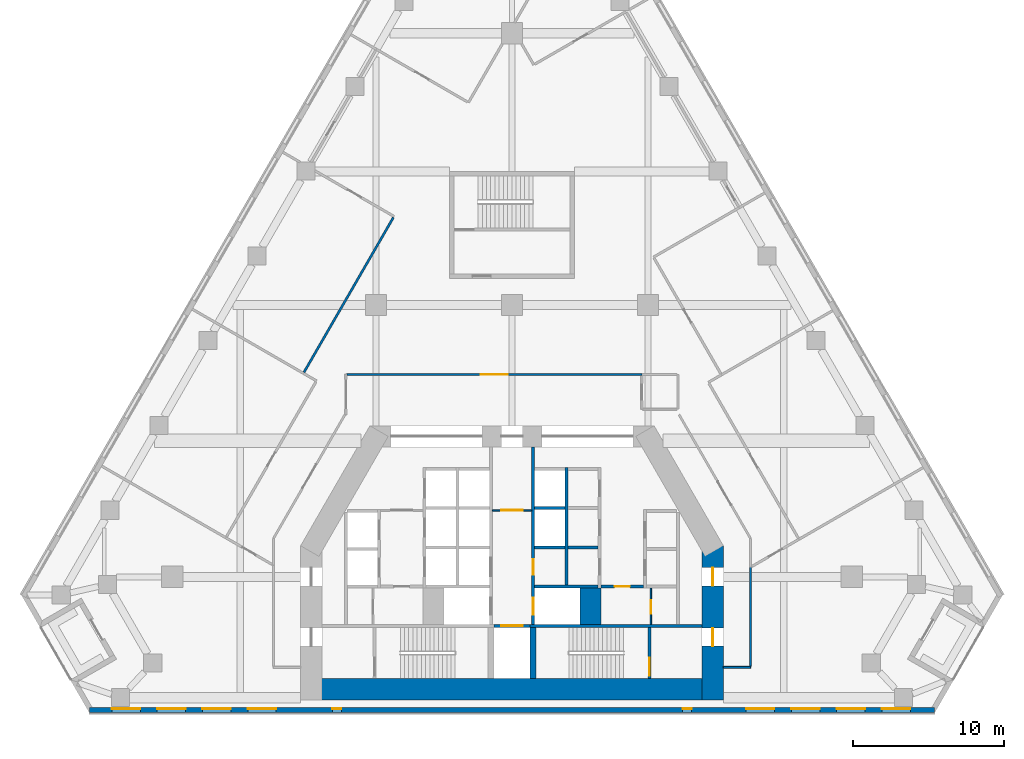
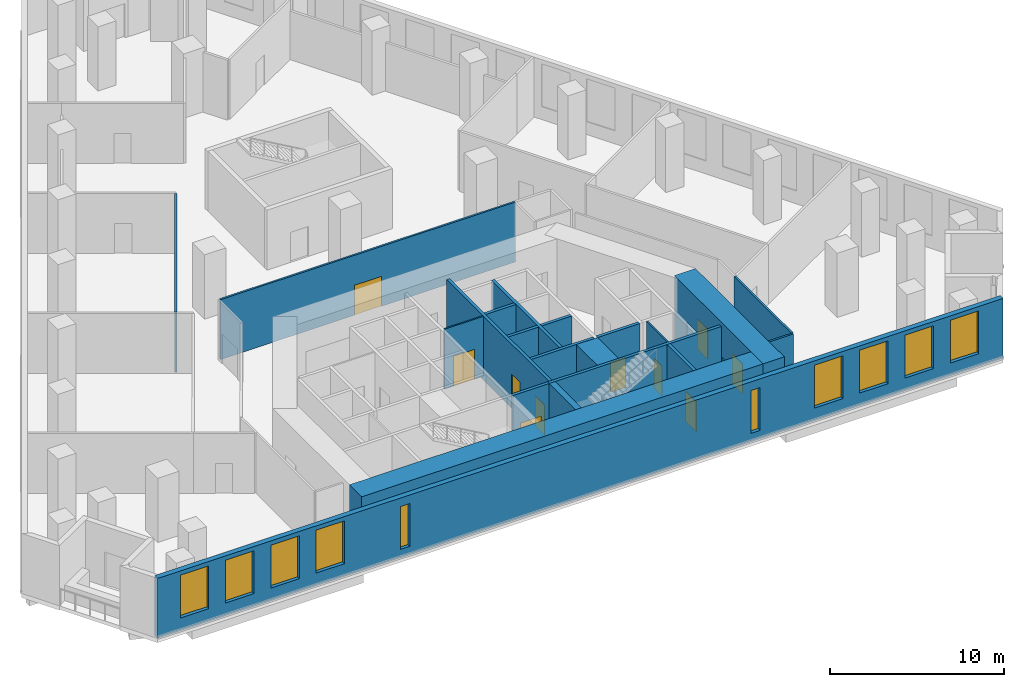
# One storey, part 5 of 14: 21 walls, 10 doors, 10 windows, 20 openings.
"""IFC4 building model written with IfcOpenShell, lengths in metres."""

import ifcopenshell
import ifcopenshell.guid

model = None  # the IFC model being written
_history = None  # IfcOwnerHistory: only IFC2X3 demands one
_inside = {}  # id of a spatial element -> (the spatial element, [elements in it])
_under = {}  # id of a project, library or spatial element -> (it, [spatial elements below it])
_declared = {}  # id of a project -> (the project, [libraries it declares])
_typed = {}  # id of a type object -> (the type object, [elements of that type])
_made_of = {}  # id of a material, layer set ... -> (it, [elements and type objects made of it])


def new_model(schema):
    """Start an empty IFC model of exactly this schema.

    Asked for "IFC4X3", IfcOpenShell would pick the latest addendum, in which some entities
    have other attributes; the version numbers below select the first issue.
    IFC2X3 requires an IfcOwnerHistory on every rooted entity: one is made here for all.
    """
    global model, _history
    if schema == "IFC4X3":
        model = ifcopenshell.file(schema_version=(4, 3, 0, 0))
    else:
        model = ifcopenshell.file(schema=schema)
    _inside.clear()
    _under.clear()
    _declared.clear()
    _typed.clear()
    _made_of.clear()
    _history = None
    if model.schema == "IFC2X3":
        org = make("IfcOrganization", Name="unknown")
        user = make(
            "IfcPersonAndOrganization",
            ThePerson=make("IfcPerson", FamilyName="unknown"),
            TheOrganization=org,
        )
        app = make(
            "IfcApplication",
            ApplicationDeveloper=org,
            Version="unknown",
            ApplicationFullName="unknown",
            ApplicationIdentifier="unknown",
        )
        _history = make(
            "IfcOwnerHistory",
            OwningUser=user,
            OwningApplication=app,
            ChangeAction="ADDED",
            CreationDate=0,
        )
    return model


def make(cls, **values):
    """One entity of the class cls with the attributes given. An attribute that is None is left unset."""
    return model.create_entity(
        cls, **{name: value for name, value in values.items() if value is not None}
    )


def rooted(cls, **values):
    """An entity with a GlobalId (a new one), such as an element, a storey or a relation."""
    return make(cls, GlobalId=ifcopenshell.guid.new(), OwnerHistory=_history, **values)


def si_unit(unit_type, name, prefix=None):
    """IfcSIUnit, for example si_unit("LENGTHUNIT", "METRE", prefix="MILLI")."""
    return make("IfcSIUnit", UnitType=unit_type, Prefix=prefix, Name=name)


def assignment(units):
    """IfcUnitAssignment: the units of a project."""
    return None if units is None else make("IfcUnitAssignment", Units=units)


def point(xyz):
    """IfcCartesianPoint."""
    return None if xyz is None else make("IfcCartesianPoint", Coordinates=xyz)


def direction(xyz):
    """IfcDirection."""
    return None if xyz is None else make("IfcDirection", DirectionRatios=xyz)


def frame(location, z_axis=None, x_axis=None):
    """IfcAxis2Placement3D, a coordinate frame: its origin and axes. An axis left out is left unset."""
    return make(
        "IfcAxis2Placement3D",
        Location=point(location),
        Axis=direction(z_axis),
        RefDirection=direction(x_axis),
    )


def frame_2d(location, x_axis=None):
    """IfcAxis2Placement2D, a coordinate frame in the plane: its origin and x axis."""
    return make(
        "IfcAxis2Placement2D", Location=point(location), RefDirection=direction(x_axis)
    )


def origin():
    """The frame at (0, 0, 0) with its axes left unset."""
    return frame((0.0, 0.0, 0.0))


def place(relative_to, where):
    """IfcLocalPlacement: puts the frame where relative to a parent placement (None: the world)."""
    return make(
        "IfcLocalPlacement", PlacementRelTo=relative_to, RelativePlacement=where
    )


def context(
    kind, dimensions, precision=None, world=None, true_north=None, identifier=None
):
    """IfcGeometricRepresentationContext, for example the 3D "Model" context."""
    return make(
        "IfcGeometricRepresentationContext",
        ContextIdentifier=identifier,
        ContextType=kind,
        CoordinateSpaceDimension=dimensions,
        Precision=precision,
        WorldCoordinateSystem=world,
        TrueNorth=true_north,
    )


def subcontext(parent, identifier, kind, view, scale=None):
    """IfcGeometricRepresentationSubContext, for example "Body" below "Model"."""
    return make(
        "IfcGeometricRepresentationSubContext",
        ContextIdentifier=identifier,
        ContextType=kind,
        ParentContext=parent,
        TargetScale=scale,
        TargetView=view,
    )


def project(units=None, contexts=None):
    """IfcProject with its units and contexts."""
    return rooted(
        "IfcProject",
        Name="project",
        RepresentationContexts=contexts,
        UnitsInContext=assignment(units),
    )


def spatial(cls, under=None, at=None, **own):
    """A site, building, storey or space (cls), placed at a placement, below another one or the project."""
    s = rooted(cls, ObjectPlacement=at, **own)
    if under is not None:
        _under.setdefault(under.id(), (under, []))[1].append(s)
    return s


def profile(cls, at=None, kind="AREA", **sizes):
    """A parametric profile (cls). Its sizes go by their IFC names, for example OverallWidth=200.0."""
    return make(cls, ProfileType=kind, Position=at, **sizes)


def rectangle(**sizes):
    """IfcRectangleProfileDef."""
    return profile("IfcRectangleProfileDef", **sizes)


def extrude(swept, where, along, depth):
    """IfcExtrudedAreaSolid: the profile swept, set in the frame where, extruded along a direction by depth."""
    return make(
        "IfcExtrudedAreaSolid",
        SweptArea=swept,
        Position=where,
        ExtrudedDirection=direction(along),
        Depth=depth,
    )


def shape(context_of_items, identifier, shape_type, items):
    """IfcShapeRepresentation: the items that make up one representation, for example the "Body"."""
    return make(
        "IfcShapeRepresentation",
        ContextOfItems=context_of_items,
        RepresentationIdentifier=identifier,
        RepresentationType=shape_type,
        Items=items,
    )


def material(Name=None, Category=None):
    """IfcMaterial."""
    return make("IfcMaterial", Name=Name, Category=Category)


def layer(
    of_material, thickness, ventilated=None, Name=None, Category=None, Priority=None
):
    """IfcMaterialLayer: one layer of a wall or slab, of a material (None: an air gap)."""
    return make(
        "IfcMaterialLayer",
        Material=of_material,
        LayerThickness=thickness,
        IsVentilated=ventilated,
        Name=Name,
        Category=Category,
        Priority=Priority,
    )


def layer_set(layers, Name=None):
    """IfcMaterialLayerSet."""
    return make("IfcMaterialLayerSet", MaterialLayers=layers, LayerSetName=Name)


def made_of(thing, what):
    """Note that an element or type object is made of a material, layer set ...; save() writes the relation."""
    if what is not None:
        _made_of.setdefault(what.id(), (what, []))[1].append(thing)
    return thing


def type_object(cls, material=None, **own):
    """A type object (cls), such as IfcWallType, which elements share."""
    return made_of(rooted(cls, **own), material)


def element(
    cls,
    number,
    at=None,
    inside=None,
    cuts=None,
    type_object=None,
    material=None,
    context=None,
    identifier="Body",
    shape_type=None,
    held_by="IfcProductDefinitionShape",
    body=None,
    shapes=None,
    **own,
):
    """One element of the class cls, such as IfcWall. Its Tag is "e" and its number.

    at: its placement. inside: the storey or other place that contains it. cuts: it is an
    opening in that element (IfcRelVoidsElement). A single representation is given by context,
    identifier, shape_type and body (its items); several are given by shapes. held_by: the class
    of the entity that holds the representations. save() writes the other relations.
    """
    e = rooted(cls, Tag="e%d" % number, ObjectPlacement=at, **own)
    if body is not None:
        shapes = [shape(context, identifier, shape_type, body)]
    if shapes is not None:
        e.Representation = make(held_by, Representations=shapes)
    if inside is not None:
        _inside.setdefault(inside.id(), (inside, []))[1].append(e)
    if cuts is not None:
        rooted(
            "IfcRelVoidsElement", RelatingBuildingElement=cuts, RelatedOpeningElement=e
        )
    if type_object is not None:
        _typed.setdefault(type_object.id(), (type_object, []))[1].append(e)
    return made_of(e, material)


def fill(opening, filler):
    """IfcRelFillsElement: the door or window that sits in an opening."""
    return rooted(
        "IfcRelFillsElement",
        RelatingOpeningElement=opening,
        RelatedBuildingElement=filler,
    )


def aggregate(whole, parts):
    """IfcRelAggregates: a whole, such as a stair, and the parts it consists of."""
    return rooted("IfcRelAggregates", RelatingObject=whole, RelatedObjects=parts)


def save(model, path):
    """Write the relations noted so far, then the file.

    IfcRelAggregates (storeys below a building ...), IfcRelContainedInSpatialStructure (elements
    in a storey), IfcRelDefinesByType, IfcRelAssociatesMaterial and IfcRelDeclares: one each for
    every whole, place, type object, material and project.
    """
    for whole, parts in _under.values():
        aggregate(whole, parts)
    for where, things in _inside.values():
        rooted(
            "IfcRelContainedInSpatialStructure",
            RelatedElements=things,
            RelatingStructure=where,
        )
    for kind, things in _typed.values():
        rooted("IfcRelDefinesByType", RelatedObjects=things, RelatingType=kind)
    for what, things in _made_of.values():
        rooted("IfcRelAssociatesMaterial", RelatedObjects=things, RelatingMaterial=what)
    for by, libraries in _declared.values():
        rooted("IfcRelDeclares", RelatingContext=by, RelatedDefinitions=libraries)
    model.write(path)


model = new_model("IFC4")

# Units and contexts
model_context = context("Model", 3, precision=1e-05, world=origin(), true_north=direction((0.0, 1.0)))
body_context = subcontext(model_context, "Body", "Model", "MODEL_VIEW")
ifc_project = project(units=[si_unit("LENGTHUNIT", "METRE"), si_unit("AREAUNIT", "SQUARE_METRE"), si_unit("VOLUMEUNIT", "CUBIC_METRE"), si_unit("PLANEANGLEUNIT", "RADIAN"), si_unit("MASSUNIT", "GRAM", prefix="KILO")], contexts=[model_context])

# Site, building, storey
site_placement = place(None, origin())
site = spatial("IfcSite", under=ifc_project, at=site_placement, CompositionType="ELEMENT")
building_placement = place(site_placement, origin())
building = spatial("IfcBuilding", under=site, at=building_placement, Name="Fogline Exchange Tower", CompositionType="ELEMENT")
storey_placement = place(building_placement, frame((0.0, 0.0, 29.5)))
storey = spatial("IfcBuildingStorey", under=building, at=storey_placement, Name="L05", CompositionType="ELEMENT", Elevation=29.5)

# Wall, opening, door
ifc_material_1 = material(Name="Blockwork partition", Category="masonry")
ifc_layer_1 = layer(ifc_material_1, 0.10009765625)
ifc_layer_set_1 = layer_set([ifc_layer_1], Name="CW10")
wall_type_1 = type_object("IfcWallType", Name="CW10", PredefinedType="PARTITIONING", material=ifc_layer_set_1)
wall_1_placement = place(storey_placement, frame((9.199951171875, 5.85009765625, 0.0), z_axis=(0.0, 0.0, 1.0), x_axis=(0.0, 1.0, 0.0)))
wall_1 = element("IfcWall", 1, at=wall_1_placement, inside=storey, type_object=wall_type_1, Name="WC partition", PredefinedType="PARTITIONING", context=body_context, shape_type="SweptSolid", body=[
    extrude(rectangle(XDim=2.39990234375, YDim=0.10009765625, at=frame_2d((1.199951171875, 0.0))), origin(), (0.0, 0.0, 1.0), 4.199951171875),
])
opening_1_placement = place(wall_1_placement, frame((0.699951171875, 0.0, 0.0)))
opening_1 = element("IfcOpeningElement", 2, at=opening_1_placement, cuts=wall_1, Name="Opening T01-C014", PredefinedType="OPENING", context=body_context, shape_type="SweptSolid", body=[
    extrude(rectangle(XDim=0.89990234375, YDim=2.10009765625, at=frame_2d((0.449951171875, 1.050048828125))), frame((0.0, 0.06005859375, 0.0), z_axis=(0.0, -1.0, 0.0), x_axis=(1.0, 0.0, 0.0)), (0.0, 0.0, 1.0), 0.1201171875),
])
ifc_material_2 = material(Name="Steel and timber fire door", Category="steel")
door_type_1 = type_object("IfcDoorType", Name="D-CS1", OperationType="SINGLE_SWING_RIGHT", PredefinedType="DOOR", material=ifc_material_2)
door_1_placement = place(opening_1_placement, frame((0.89990234375, 0.0, 0.0), z_axis=(0.0, 0.0, 1.0), x_axis=(-1.0, 0.0, 0.0)))
door_1 = element("IfcDoor", 3, at=door_1_placement, inside=storey, type_object=door_type_1, Name="Door to Cleaner's Store", OperationType="SINGLE_SWING_RIGHT", OverallHeight=2.10009765625, OverallWidth=0.89990234375, PredefinedType="DOOR", context=body_context, shape_type="SweptSolid", body=[
    extrude(rectangle(XDim=0.89990234375, YDim=2.10009765625, at=frame_2d((0.449951171875, 1.050048828125))), frame((0.0, 0.02490234375, 0.0), z_axis=(0.0, -1.0, 0.0), x_axis=(1.0, 0.0, 0.0)), (0.0, 0.0, 1.0), 0.050048828125),
])
fill(opening_1, door_1)

wall_2_placement = place(storey_placement, frame((-1.300048828125, 13.39990234375, 0.0), z_axis=(0.0, 0.0, 1.0), x_axis=(1.0, 0.0, 0.0)))
wall_2 = element("IfcWall", 4, at=wall_2_placement, inside=storey, type_object=wall_type_1, Name="Lift lobby partition", PredefinedType="PARTITIONING", context=body_context, shape_type="SweptSolid", body=[
    extrude(rectangle(XDim=2.60009765625, YDim=0.10009765625, at=frame_2d((1.300048828125, 0.0))), origin(), (0.0, 0.0, 1.0), 4.199951171875),
])
opening_2_placement = place(wall_2_placement, frame((0.60009765625, 0.0, 0.0)))
opening_2 = element("IfcOpeningElement", 5, at=opening_2_placement, cuts=wall_2, Name="Opening T01-C018", PredefinedType="OPENING", context=body_context, shape_type="SweptSolid", body=[
    extrude(rectangle(XDim=1.39990234375, YDim=2.10009765625, at=frame_2d((0.699951171875, 1.050048828125))), frame((0.0, 0.06005859375, 0.0), z_axis=(0.0, -1.0, 0.0), x_axis=(1.0, 0.0, 0.0)), (0.0, 0.0, 1.0), 0.1201171875),
])
door_type_2 = type_object("IfcDoorType", Name="D-LB1", OperationType="DOUBLE_DOOR_SINGLE_SWING", PredefinedType="DOOR", material=ifc_material_2)
door_2_placement = place(opening_2_placement, origin())
door_2 = element("IfcDoor", 6, at=door_2_placement, inside=storey, type_object=door_type_2, Name="Door to firefighting lift lobby", OperationType="DOUBLE_DOOR_SINGLE_SWING", OverallHeight=2.10009765625, OverallWidth=1.39990234375, PredefinedType="DOOR", context=body_context, shape_type="SweptSolid", body=[
    extrude(rectangle(XDim=1.39990234375, YDim=2.10009765625, at=frame_2d((0.699951171875, 1.050048828125))), frame((0.0, 0.02490234375, 0.0), z_axis=(0.0, -1.0, 0.0), x_axis=(1.0, 0.0, 0.0)), (0.0, 0.0, 1.0), 0.050048828125),
])
fill(opening_2, door_2)

# Wall
ifc_material_3 = material(Name="Concrete C60", Category="concrete")
ifc_layer_2 = layer(ifc_material_3, 1.39990234375)
ifc_layer_set_2 = layer_set([ifc_layer_2], Name="CW140")
wall_type_2 = type_object("IfcWallType", Name="CW140", PredefinedType="SOLIDWALL", material=ifc_layer_set_2)
wall_3_placement = place(storey_placement, frame((5.199951171875, 5.85009765625, -0.300048828125), z_axis=(0.0, 0.0, 1.0), x_axis=(0.0, 1.0, 0.0)))
element("IfcWall", 7, at=wall_3_placement, inside=storey, type_object=wall_type_2, Name="Lift shaft block wall", PredefinedType="SOLIDWALL", context=body_context, shape_type="SweptSolid", body=[
    extrude(rectangle(XDim=2.39990234375, YDim=1.39990234375, at=frame_2d((1.199951171875, 0.0))), origin(), (0.0, 0.0, 1.0), 4.5),
])

# Wall, opening, door
ifc_material_4 = material(Name="Concrete C40", Category="concrete")
ifc_layer_3 = layer(ifc_material_4, 0.199951171875)
ifc_layer_set_3 = layer_set([ifc_layer_3], Name="CW20")
wall_type_3 = type_object("IfcWallType", Name="CW20", PredefinedType="SOLIDWALL", material=ifc_layer_set_3)
wall_4_placement = place(storey_placement, frame((5.89990234375, 8.35009765625, 0.0), z_axis=(0.0, 0.0, 1.0), x_axis=(1.0, 0.0, 0.0)))
wall_4 = element("IfcWall", 8, at=wall_4_placement, inside=storey, type_object=wall_type_3, Name="WC wall", PredefinedType="SOLIDWALL", context=body_context, shape_type="SweptSolid", body=[
    extrude(rectangle(XDim=2.800048828125, YDim=0.199951171875, at=frame_2d((1.39990234375, 0.0))), origin(), (0.0, 0.0, 1.0), 4.199951171875),
])
opening_3_placement = place(wall_4_placement, frame((0.89990234375, 0.0, 0.0)))
opening_3 = element("IfcOpeningElement", 9, at=opening_3_placement, cuts=wall_4, Name="Opening T01-C013", PredefinedType="OPENING", context=body_context, shape_type="SweptSolid", body=[
    extrude(rectangle(XDim=1.0, YDim=2.10009765625, at=frame_2d((0.5, 1.050048828125))), frame((0.0, 0.10986328125, 0.0), z_axis=(0.0, -1.0, 0.0), x_axis=(1.0, 0.0, 0.0)), (0.0, 0.0, 1.0), 0.219970703125),
])
door_type_3 = type_object("IfcDoorType", Name="D-WC1", OperationType="SINGLE_SWING_LEFT", PredefinedType="DOOR", material=ifc_material_2)
door_3_placement = place(opening_3_placement, frame((1.0, 0.0, 0.0), z_axis=(0.0, 0.0, 1.0), x_axis=(-1.0, 0.0, 0.0)))
door_3 = element("IfcDoor", 10, at=door_3_placement, inside=storey, type_object=door_type_3, Name="Door to Women's WC", OperationType="SINGLE_SWING_LEFT", OverallHeight=2.10009765625, OverallWidth=1.0, PredefinedType="DOOR", context=body_context, shape_type="SweptSolid", body=[
    extrude(rectangle(XDim=1.0, YDim=2.10009765625, at=frame_2d((0.5, 1.050048828125))), frame((0.0, 0.02490234375, 0.0), z_axis=(0.0, -1.0, 0.0), x_axis=(1.0, 0.0, 0.0)), (0.0, 0.0, 1.0), 0.050048828125),
])
fill(opening_3, door_3)

ifc_layer_4 = layer(ifc_material_4, 0.199951171875)
ifc_layer_set_4 = layer_set([ifc_layer_4], Name="CW20R")
wall_type_4 = type_object("IfcWallType", Name="CW20R", PredefinedType="SOLIDWALL", material=ifc_layer_set_4)
wall_5_placement = place(storey_placement, frame((-1.199951171875, 5.75, -0.300048828125), z_axis=(0.0, 0.0, 1.0), x_axis=(1.0, 0.0, 0.0)))
wall_5 = element("IfcWall", 11, at=wall_5_placement, inside=storey, type_object=wall_type_4, Name="Stair enclosure wall", PredefinedType="SOLIDWALL", context=body_context, shape_type="SweptSolid", body=[
    extrude(rectangle(XDim=2.39990234375, YDim=0.199951171875, at=frame_2d((1.199951171875, 0.0))), origin(), (0.0, 0.0, 1.0), 4.5),
])
opening_4_placement = place(wall_5_placement, frame((0.5, 0.0, 0.300048828125)))
opening_4 = element("IfcOpeningElement", 12, at=opening_4_placement, cuts=wall_5, Name="Opening T01-LD09", PredefinedType="OPENING", context=body_context, shape_type="SweptSolid", body=[
    extrude(rectangle(XDim=1.39990234375, YDim=2.10009765625, at=frame_2d((0.699951171875, 1.050048828125))), frame((0.0, 0.10986328125, 0.0), z_axis=(0.0, -1.0, 0.0), x_axis=(1.0, 0.0, 0.0)), (0.0, 0.0, 1.0), 0.219970703125),
])
door_type_4 = type_object("IfcDoorType", Name="LD3", OperationType="SLIDING_TO_LEFT", PredefinedType="DOOR", material=ifc_material_2)
door_4_placement = place(opening_4_placement, origin())
door_4 = element("IfcDoor", 13, at=door_4_placement, inside=storey, type_object=door_type_4, Name="Landing door GL1", OperationType="SLIDING_TO_LEFT", OverallHeight=2.10009765625, OverallWidth=1.39990234375, PredefinedType="DOOR", context=body_context, shape_type="SweptSolid", body=[
    extrude(rectangle(XDim=1.39990234375, YDim=2.10009765625, at=frame_2d((0.699951171875, 1.050048828125))), frame((0.0, 0.02490234375, 0.0), z_axis=(0.0, -1.0, 0.0), x_axis=(1.0, 0.0, 0.0)), (0.0, 0.0, 1.0), 0.050048828125),
])
fill(opening_4, door_4)

# Wall
wall_6_placement = place(storey_placement, frame((1.199951171875, 5.75, -0.300048828125), z_axis=(0.0, 0.0, 1.0), x_axis=(1.0, 0.0, 0.0)))
element("IfcWall", 14, at=wall_6_placement, inside=storey, type_object=wall_type_4, Name="Stair enclosure wall", PredefinedType="SOLIDWALL", context=body_context, shape_type="SweptSolid", body=[
    extrude(rectangle(XDim=11.400146484375, YDim=0.199951171875, at=frame_2d((5.7001953125, 0.0))), origin(), (0.0, 0.0, 1.0), 4.5),
])

# Wall, opening, door
wall_7_placement = place(storey_placement, frame((9.10009765625, 2.25, -0.300048828125), z_axis=(0.0, 0.0, 1.0), x_axis=(0.0, 1.0, 0.0)))
wall_7 = element("IfcWall", 15, at=wall_7_placement, inside=storey, type_object=wall_type_4, Name="Stair enclosure wall", PredefinedType="SOLIDWALL", context=body_context, shape_type="SweptSolid", body=[
    extrude(rectangle(XDim=3.39990234375, YDim=0.199951171875, at=frame_2d((1.699951171875, 0.0))), origin(), (0.0, 0.0, 1.0), 4.5),
])
opening_5_placement = place(wall_7_placement, frame((0.199951171875, 0.0, 0.300048828125)))
opening_5 = element("IfcOpeningElement", 16, at=opening_5_placement, cuts=wall_7, Name="Opening T01-C016", PredefinedType="OPENING", context=body_context, shape_type="SweptSolid", body=[
    extrude(rectangle(XDim=1.199951171875, YDim=2.10009765625, at=frame_2d((0.60009765625, 1.050048828125))), frame((0.0, 0.10986328125, 0.0), z_axis=(0.0, -1.0, 0.0), x_axis=(1.0, 0.0, 0.0)), (0.0, 0.0, 1.0), 0.219970703125),
])
door_type_5 = type_object("IfcDoorType", Name="D-ST1", OperationType="SINGLE_SWING_LEFT", PredefinedType="DOOR", material=ifc_material_2)
door_5_placement = place(opening_5_placement, origin())
door_5 = element("IfcDoor", 17, at=door_5_placement, inside=storey, type_object=door_type_5, Name="Stair door ST2", OperationType="SINGLE_SWING_LEFT", OverallHeight=2.10009765625, OverallWidth=1.199951171875, PredefinedType="DOOR", context=body_context, shape_type="SweptSolid", body=[
    extrude(rectangle(XDim=1.199951171875, YDim=2.10009765625, at=frame_2d((0.60009765625, 1.050048828125))), frame((0.0, 0.02490234375, 0.0), z_axis=(0.0, -1.0, 0.0), x_axis=(1.0, 0.0, 0.0)), (0.0, 0.0, 1.0), 0.050048828125),
])
fill(opening_5, door_5)

# Wall
ifc_layer_5 = layer(ifc_material_4, 0.199951171875)
ifc_layer_set_5 = layer_set([ifc_layer_5], Name="CW20S")
wall_type_5 = type_object("IfcWallType", Name="CW20S", PredefinedType="SOLIDWALL", material=ifc_layer_set_5)
wall_8_placement = place(storey_placement, frame((3.60009765625, 8.449951171875, -0.300048828125), z_axis=(0.0, 0.0, 1.0), x_axis=(0.0, 1.0, 0.0)))
element("IfcWall", 18, at=wall_8_placement, inside=storey, type_object=wall_type_5, Name="Lift shaft wall", PredefinedType="SOLIDWALL", context=body_context, shape_type="SweptSolid", body=[
    extrude(rectangle(XDim=7.800048828125, YDim=0.199951171875, at=frame_2d((3.89990234375, 0.0))), origin(), (0.0, 0.0, 1.0), 4.5),
])

# Wall, openings, doors
wall_9_placement = place(storey_placement, frame((1.39990234375, 5.85009765625, -0.300048828125), z_axis=(0.0, 0.0, 1.0), x_axis=(0.0, 1.0, 0.0)))
wall_9 = element("IfcWall", 19, at=wall_9_placement, inside=storey, type_object=wall_type_5, Name="Lift lobby wall", PredefinedType="SOLIDWALL", context=body_context, shape_type="SweptSolid", body=[
    extrude(rectangle(XDim=11.75, YDim=0.199951171875, at=frame_2d((5.875, 0.0))), origin(), (0.0, 0.0, 1.0), 4.5),
])
opening_6_placement = place(wall_9_placement, frame((0.64990234375, 0.0, 0.300048828125)))
opening_6 = element("IfcOpeningElement", 20, at=opening_6_placement, cuts=wall_9, Name="Opening T01-LD08", PredefinedType="OPENING", context=body_context, shape_type="SweptSolid", body=[
    extrude(rectangle(XDim=1.10009765625, YDim=2.10009765625, at=frame_2d((0.550048828125, 1.050048828125))), frame((0.0, 0.10986328125, 0.0), z_axis=(0.0, -1.0, 0.0), x_axis=(1.0, 0.0, 0.0)), (0.0, 0.0, 1.0), 0.219970703125),
])
opening_7_placement = place(wall_9_placement, frame((3.300048828125, 0.0, 0.300048828125)))
opening_7 = element("IfcOpeningElement", 21, at=opening_7_placement, cuts=wall_9, Name="Opening T01-C006", PredefinedType="OPENING", context=body_context, shape_type="SweptSolid", body=[
    extrude(rectangle(XDim=1.0, YDim=2.10009765625, at=frame_2d((0.5, 1.050048828125))), frame((0.0, 0.10986328125, 0.0), z_axis=(0.0, -1.0, 0.0), x_axis=(1.0, 0.0, 0.0)), (0.0, 0.0, 1.0), 0.219970703125),
])
door_type_6 = type_object("IfcDoorType", Name="D-RM1", OperationType="SINGLE_SWING_LEFT", PredefinedType="DOOR", material=ifc_material_2)
door_6_placement = place(opening_7_placement, frame((1.0, 0.0, 0.0), z_axis=(0.0, 0.0, 1.0), x_axis=(-1.0, 0.0, 0.0)))
door_6 = element("IfcDoor", 22, at=door_6_placement, inside=storey, type_object=door_type_6, Name="Door to Records Store", OperationType="SINGLE_SWING_RIGHT", OverallHeight=2.10009765625, OverallWidth=1.0, PredefinedType="DOOR", context=body_context, shape_type="SweptSolid", body=[
    extrude(rectangle(XDim=1.0, YDim=2.10009765625, at=frame_2d((0.5, 1.050048828125))), frame((0.0, 0.02490234375, 0.0), z_axis=(0.0, -1.0, 0.0), x_axis=(1.0, 0.0, 0.0)), (0.0, 0.0, 1.0), 0.050048828125),
])
fill(opening_7, door_6)
door_type_7 = type_object("IfcDoorType", Name="LD2", OperationType="SLIDING_TO_RIGHT", PredefinedType="DOOR", material=ifc_material_2)
door_7_placement = place(opening_6_placement, origin())
door_7 = element("IfcDoor", 23, at=door_7_placement, inside=storey, type_object=door_type_7, Name="Landing door FF2", OperationType="SLIDING_TO_RIGHT", OverallHeight=2.10009765625, OverallWidth=1.10009765625, PredefinedType="DOOR", context=body_context, shape_type="SweptSolid", body=[
    extrude(rectangle(XDim=1.10009765625, YDim=2.10009765625, at=frame_2d((0.550048828125, 1.050048828125))), frame((0.0, 0.02490234375, 0.0), z_axis=(0.0, -1.0, 0.0), x_axis=(1.0, 0.0, 0.0)), (0.0, 0.0, 1.0), 0.050048828125),
])
fill(opening_6, door_7)

# Walls
wall_10_placement = place(storey_placement, frame((1.5, 8.35009765625, -0.300048828125), z_axis=(0.0, 0.0, 1.0), x_axis=(1.0, 0.0, 0.0)))
element("IfcWall", 24, at=wall_10_placement, inside=storey, type_object=wall_type_5, Name="Lift shaft wall", PredefinedType="SOLIDWALL", context=body_context, shape_type="SweptSolid", body=[
    extrude(rectangle(XDim=4.199951171875, YDim=0.199951171875, at=frame_2d((2.10009765625, 0.0))), origin(), (0.0, 0.0, 1.0), 4.5),
])
for number, where, z_axis, x_axis, name in (
    (25, (3.699951171875, 10.949951171875, -0.300048828125), (0.0, 0.0, 1.0), (1.0, 0.0, 0.0), "Lift shaft wall"),
    (26, (1.5, 10.949951171875, -0.300048828125), (0.0, 0.0, 1.0), (1.0, 0.0, 0.0), "Lift shaft wall"),
    (27, (1.5, 13.550048828125, -0.300048828125), (0.0, 0.0, 1.0), (1.0, 0.0, 0.0), "Lift shaft wall"),
):
    element("IfcWall", number, at=place(storey_placement, frame(where, z_axis=z_axis, x_axis=x_axis)), inside=storey, type_object=wall_type_5, Name=name, PredefinedType="SOLIDWALL", context=body_context, shape_type="SweptSolid", body=[
        extrude(rectangle(XDim=2.0, YDim=0.199951171875, at=frame_2d((1.0, 0.0))), origin(), (0.0, 0.0, 1.0), 4.5),
    ])
ifc_layer_6 = layer(ifc_material_4, 0.39990234375)
ifc_layer_set_6 = layer_set([ifc_layer_6], Name="CW40R")
wall_type_6 = type_object("IfcWallType", Name="CW40R", PredefinedType="SOLIDWALL", material=ifc_layer_set_6)
wall_11_placement = place(storey_placement, frame((1.39990234375, 2.25, -0.300048828125), z_axis=(0.0, 0.0, 1.0), x_axis=(0.0, 1.0, 0.0)))
element("IfcWall", 28, at=wall_11_placement, inside=storey, type_object=wall_type_6, Name="Stair and lift shaft wall", PredefinedType="SOLIDWALL", context=body_context, shape_type="SweptSolid", body=[
    extrude(rectangle(XDim=3.39990234375, YDim=0.39990234375, at=frame_2d((1.699951171875, 0.0))), origin(), (0.0, 0.0, 1.0), 4.5),
])

# Wall, openings, windows
ifc_material_5 = material(Name="Brick masonry", Category="masonry")
ifc_layer_7 = layer(ifc_material_5, 0.340087890625)
ifc_layer_set_7 = layer_set([ifc_layer_7], Name="FW1")
wall_type_7 = type_object("IfcWallType", Name="FW1", PredefinedType="SOLIDWALL", material=ifc_layer_set_7)
wall_12_placement = place(storey_placement, frame((-28.0, 0.169921875, 0.0), z_axis=(0.0, 0.0, 1.0), x_axis=(1.0, 0.0, 0.0)))
wall_12 = element("IfcWall", 29, at=wall_12_placement, inside=storey, type_object=wall_type_7, Name="Brick wall L05 S", PredefinedType="SOLIDWALL", context=body_context, shape_type="SweptSolid", body=[
    extrude(rectangle(XDim=56.0, YDim=0.340087890625, at=frame_2d((28.0, 0.0))), origin(), (0.0, 0.0, 1.0), 4.199951171875),
])
opening_8_placement = place(wall_12_placement, frame((1.5, 0.0, 0.89990234375)))
opening_8 = element("IfcOpeningElement", 30, at=opening_8_placement, cuts=wall_12, Name="Opening W2", PredefinedType="OPENING", context=body_context, shape_type="SweptSolid", body=[
    extrude(rectangle(XDim=1.885009765625, YDim=3.0, at=frame_2d((0.9423828125, 1.5))), frame((0.0, 0.18017578125, 0.0), z_axis=(0.0, -1.0, 0.0), x_axis=(1.0, 0.0, 0.0)), (0.0, 0.0, 1.0), 0.360107421875),
])
opening_9_placement = place(wall_12_placement, frame((4.5, 0.0, 0.89990234375)))
opening_9 = element("IfcOpeningElement", 31, at=opening_9_placement, cuts=wall_12, Name="Opening W2", PredefinedType="OPENING", context=body_context, shape_type="SweptSolid", body=[
    extrude(rectangle(XDim=1.885009765625, YDim=3.0, at=frame_2d((0.9423828125, 1.5))), frame((0.0, 0.18017578125, 0.0), z_axis=(0.0, -1.0, 0.0), x_axis=(1.0, 0.0, 0.0)), (0.0, 0.0, 1.0), 0.360107421875),
])
opening_10_placement = place(wall_12_placement, frame((7.5, 0.0, 0.89990234375)))
opening_10 = element("IfcOpeningElement", 32, at=opening_10_placement, cuts=wall_12, Name="Opening W2", PredefinedType="OPENING", context=body_context, shape_type="SweptSolid", body=[
    extrude(rectangle(XDim=1.885009765625, YDim=3.0, at=frame_2d((0.9423828125, 1.5))), frame((0.0, 0.18017578125, 0.0), z_axis=(0.0, -1.0, 0.0), x_axis=(1.0, 0.0, 0.0)), (0.0, 0.0, 1.0), 0.360107421875),
])
opening_11_placement = place(wall_12_placement, frame((10.5, 0.0, 0.89990234375)))
opening_11 = element("IfcOpeningElement", 33, at=opening_11_placement, cuts=wall_12, Name="Opening W2", PredefinedType="OPENING", context=body_context, shape_type="SweptSolid", body=[
    extrude(rectangle(XDim=1.885009765625, YDim=3.0, at=frame_2d((0.9423828125, 1.5))), frame((0.0, 0.18017578125, 0.0), z_axis=(0.0, -1.0, 0.0), x_axis=(1.0, 0.0, 0.0)), (0.0, 0.0, 1.0), 0.360107421875),
])
opening_12_placement = place(wall_12_placement, frame((43.5, 0.0, 0.89990234375)))
opening_12 = element("IfcOpeningElement", 34, at=opening_12_placement, cuts=wall_12, Name="Opening W2", PredefinedType="OPENING", context=body_context, shape_type="SweptSolid", body=[
    extrude(rectangle(XDim=1.885009765625, YDim=3.0, at=frame_2d((0.9423828125, 1.5))), frame((0.0, 0.18017578125, 0.0), z_axis=(0.0, -1.0, 0.0), x_axis=(1.0, 0.0, 0.0)), (0.0, 0.0, 1.0), 0.360107421875),
])
opening_13_placement = place(wall_12_placement, frame((46.5, 0.0, 0.89990234375)))
opening_13 = element("IfcOpeningElement", 35, at=opening_13_placement, cuts=wall_12, Name="Opening W2", PredefinedType="OPENING", context=body_context, shape_type="SweptSolid", body=[
    extrude(rectangle(XDim=1.885009765625, YDim=3.0, at=frame_2d((0.9423828125, 1.5))), frame((0.0, 0.18017578125, 0.0), z_axis=(0.0, -1.0, 0.0), x_axis=(1.0, 0.0, 0.0)), (0.0, 0.0, 1.0), 0.360107421875),
])
opening_14_placement = place(wall_12_placement, frame((49.5, 0.0, 0.89990234375)))
opening_14 = element("IfcOpeningElement", 36, at=opening_14_placement, cuts=wall_12, Name="Opening W2", PredefinedType="OPENING", context=body_context, shape_type="SweptSolid", body=[
    extrude(rectangle(XDim=1.885009765625, YDim=3.0, at=frame_2d((0.9423828125, 1.5))), frame((0.0, 0.18017578125, 0.0), z_axis=(0.0, -1.0, 0.0), x_axis=(1.0, 0.0, 0.0)), (0.0, 0.0, 1.0), 0.360107421875),
])
opening_15_placement = place(wall_12_placement, frame((52.5, 0.0, 0.89990234375)))
opening_15 = element("IfcOpeningElement", 37, at=opening_15_placement, cuts=wall_12, Name="Opening W2", PredefinedType="OPENING", context=body_context, shape_type="SweptSolid", body=[
    extrude(rectangle(XDim=1.885009765625, YDim=3.0, at=frame_2d((0.9423828125, 1.5))), frame((0.0, 0.18017578125, 0.0), z_axis=(0.0, -1.0, 0.0), x_axis=(1.0, 0.0, 0.0)), (0.0, 0.0, 1.0), 0.360107421875),
])
opening_16_placement = place(wall_12_placement, frame((16.10009765625, 0.0, 0.60009765625)))
opening_16 = element("IfcOpeningElement", 38, at=opening_16_placement, cuts=wall_12, Name="Opening W5", PredefinedType="OPENING", context=body_context, shape_type="SweptSolid", body=[
    extrude(rectangle(XDim=0.60009765625, YDim=3.0, at=frame_2d((0.300048828125, 1.5))), frame((0.0, 0.18017578125, 0.0), z_axis=(0.0, -1.0, 0.0), x_axis=(1.0, 0.0, 0.0)), (0.0, 0.0, 1.0), 0.360107421875),
])
opening_17_placement = place(wall_12_placement, frame((39.300048828125, 0.0, 0.60009765625)))
opening_17 = element("IfcOpeningElement", 39, at=opening_17_placement, cuts=wall_12, Name="Opening W5", PredefinedType="OPENING", context=body_context, shape_type="SweptSolid", body=[
    extrude(rectangle(XDim=0.60009765625, YDim=3.0, at=frame_2d((0.300048828125, 1.5))), frame((0.0, 0.18017578125, 0.0), z_axis=(0.0, -1.0, 0.0), x_axis=(1.0, 0.0, 0.0)), (0.0, 0.0, 1.0), 0.360107421875),
])
ifc_material_6 = material(Name="Aluminium and glass", Category="aluminium")
window_type_1 = type_object("IfcWindowType", Name="W2", PartitioningType="SINGLE_PANEL", PredefinedType="WINDOW", material=ifc_material_6)
window_1_placement = place(opening_8_placement, origin())
window_1 = element("IfcWindow", 40, at=window_1_placement, inside=storey, type_object=window_type_1, Name="W2 W2", OverallHeight=3.0, OverallWidth=1.885009765625, PartitioningType="SINGLE_PANEL", PredefinedType="WINDOW", context=body_context, shape_type="SweptSolid", body=[
    extrude(rectangle(XDim=1.885009765625, YDim=3.0, at=frame_2d((0.9423828125, 1.5))), frame((0.0, 0.110107421875, 0.0), z_axis=(0.0, -1.0, 0.0), x_axis=(1.0, 0.0, 0.0)), (0.0, 0.0, 1.0), 0.06005859375),
])
fill(opening_8, window_1)
window_2_placement = place(opening_9_placement, origin())
window_2 = element("IfcWindow", 41, at=window_2_placement, inside=storey, type_object=window_type_1, Name="W2 W2", OverallHeight=3.0, OverallWidth=1.885009765625, PartitioningType="SINGLE_PANEL", PredefinedType="WINDOW", context=body_context, shape_type="SweptSolid", body=[
    extrude(rectangle(XDim=1.885009765625, YDim=3.0, at=frame_2d((0.9423828125, 1.5))), frame((0.0, 0.110107421875, 0.0), z_axis=(0.0, -1.0, 0.0), x_axis=(1.0, 0.0, 0.0)), (0.0, 0.0, 1.0), 0.06005859375),
])
fill(opening_9, window_2)
window_3_placement = place(opening_10_placement, origin())
window_3 = element("IfcWindow", 42, at=window_3_placement, inside=storey, type_object=window_type_1, Name="W2 W2", OverallHeight=3.0, OverallWidth=1.885009765625, PartitioningType="SINGLE_PANEL", PredefinedType="WINDOW", context=body_context, shape_type="SweptSolid", body=[
    extrude(rectangle(XDim=1.885009765625, YDim=3.0, at=frame_2d((0.9423828125, 1.5))), frame((0.0, 0.110107421875, 0.0), z_axis=(0.0, -1.0, 0.0), x_axis=(1.0, 0.0, 0.0)), (0.0, 0.0, 1.0), 0.06005859375),
])
fill(opening_10, window_3)
window_4_placement = place(opening_11_placement, origin())
window_4 = element("IfcWindow", 43, at=window_4_placement, inside=storey, type_object=window_type_1, Name="W2 W2", OverallHeight=3.0, OverallWidth=1.885009765625, PartitioningType="SINGLE_PANEL", PredefinedType="WINDOW", context=body_context, shape_type="SweptSolid", body=[
    extrude(rectangle(XDim=1.885009765625, YDim=3.0, at=frame_2d((0.9423828125, 1.5))), frame((0.0, 0.110107421875, 0.0), z_axis=(0.0, -1.0, 0.0), x_axis=(1.0, 0.0, 0.0)), (0.0, 0.0, 1.0), 0.06005859375),
])
fill(opening_11, window_4)
window_5_placement = place(opening_12_placement, origin())
window_5 = element("IfcWindow", 44, at=window_5_placement, inside=storey, type_object=window_type_1, Name="W2 W2", OverallHeight=3.0, OverallWidth=1.885009765625, PartitioningType="SINGLE_PANEL", PredefinedType="WINDOW", context=body_context, shape_type="SweptSolid", body=[
    extrude(rectangle(XDim=1.885009765625, YDim=3.0, at=frame_2d((0.9423828125, 1.5))), frame((0.0, 0.110107421875, 0.0), z_axis=(0.0, -1.0, 0.0), x_axis=(1.0, 0.0, 0.0)), (0.0, 0.0, 1.0), 0.06005859375),
])
fill(opening_12, window_5)
window_6_placement = place(opening_13_placement, origin())
window_6 = element("IfcWindow", 45, at=window_6_placement, inside=storey, type_object=window_type_1, Name="W2 W2", OverallHeight=3.0, OverallWidth=1.885009765625, PartitioningType="SINGLE_PANEL", PredefinedType="WINDOW", context=body_context, shape_type="SweptSolid", body=[
    extrude(rectangle(XDim=1.885009765625, YDim=3.0, at=frame_2d((0.9423828125, 1.5))), frame((0.0, 0.110107421875, 0.0), z_axis=(0.0, -1.0, 0.0), x_axis=(1.0, 0.0, 0.0)), (0.0, 0.0, 1.0), 0.06005859375),
])
fill(opening_13, window_6)
window_7_placement = place(opening_14_placement, origin())
window_7 = element("IfcWindow", 46, at=window_7_placement, inside=storey, type_object=window_type_1, Name="W2 W2", OverallHeight=3.0, OverallWidth=1.885009765625, PartitioningType="SINGLE_PANEL", PredefinedType="WINDOW", context=body_context, shape_type="SweptSolid", body=[
    extrude(rectangle(XDim=1.885009765625, YDim=3.0, at=frame_2d((0.9423828125, 1.5))), frame((0.0, 0.110107421875, 0.0), z_axis=(0.0, -1.0, 0.0), x_axis=(1.0, 0.0, 0.0)), (0.0, 0.0, 1.0), 0.06005859375),
])
fill(opening_14, window_7)
window_8_placement = place(opening_15_placement, origin())
window_8 = element("IfcWindow", 47, at=window_8_placement, inside=storey, type_object=window_type_1, Name="W2 W2", OverallHeight=3.0, OverallWidth=1.885009765625, PartitioningType="SINGLE_PANEL", PredefinedType="WINDOW", context=body_context, shape_type="SweptSolid", body=[
    extrude(rectangle(XDim=1.885009765625, YDim=3.0, at=frame_2d((0.9423828125, 1.5))), frame((0.0, 0.110107421875, 0.0), z_axis=(0.0, -1.0, 0.0), x_axis=(1.0, 0.0, 0.0)), (0.0, 0.0, 1.0), 0.06005859375),
])
fill(opening_15, window_8)
window_type_2 = type_object("IfcWindowType", Name="W5", PartitioningType="SINGLE_PANEL", PredefinedType="WINDOW", material=ifc_material_6)
window_9_placement = place(opening_16_placement, origin())
window_9 = element("IfcWindow", 48, at=window_9_placement, inside=storey, type_object=window_type_2, Name="W5 W5", OverallHeight=3.0, OverallWidth=0.60009765625, PartitioningType="SINGLE_PANEL", PredefinedType="WINDOW", context=body_context, shape_type="SweptSolid", body=[
    extrude(rectangle(XDim=0.60009765625, YDim=3.0, at=frame_2d((0.300048828125, 1.5))), frame((0.0, 0.110107421875, 0.0), z_axis=(0.0, -1.0, 0.0), x_axis=(1.0, 0.0, 0.0)), (0.0, 0.0, 1.0), 0.06005859375),
])
fill(opening_16, window_9)
window_10_placement = place(opening_17_placement, origin())
window_10 = element("IfcWindow", 49, at=window_10_placement, inside=storey, type_object=window_type_2, Name="W5 W5", OverallHeight=3.0, OverallWidth=0.60009765625, PartitioningType="SINGLE_PANEL", PredefinedType="WINDOW", context=body_context, shape_type="SweptSolid", body=[
    extrude(rectangle(XDim=0.60009765625, YDim=3.0, at=frame_2d((0.300048828125, 1.5))), frame((0.0, 0.110107421875, 0.0), z_axis=(0.0, -1.0, 0.0), x_axis=(1.0, 0.0, 0.0)), (0.0, 0.0, 1.0), 0.06005859375),
])
fill(opening_17, window_10)

# Walls
ifc_material_7 = material(Name="Plasterboard corridor partition with mineral wool, 2 layers each side")
ifc_layer_8 = layer(ifc_material_7, 0.125)
ifc_layer_set_8 = layer_set([ifc_layer_8], Name="PW2")
wall_type_8 = type_object("IfcWallType", Name="PW2", PredefinedType="PARTITIONING", material=ifc_layer_set_8)
wall_13_placement = place(storey_placement, frame((15.800048828125, 9.633056640625, 0.0), z_axis=(0.0, 0.0, 1.0), x_axis=(0.0, -1.0, 0.0)))
element("IfcWall", 50, at=wall_13_placement, inside=storey, type_object=wall_type_8, Name="wall-L05-W003", PredefinedType="PARTITIONING", context=body_context, shape_type="SweptSolid", body=[
    extrude(rectangle(XDim=6.570556640625, YDim=0.125, at=frame_2d((3.28515625, 0.0))), origin(), (0.0, 0.0, 1.0), 4.199951171875),
])
wall_14_placement = place(storey_placement, frame((15.800048828125, 3.0, 0.0), z_axis=(0.0, 0.0, 1.0), x_axis=(-1.0, 0.0, 0.0)))
element("IfcWall", 51, at=wall_14_placement, inside=storey, type_object=wall_type_8, Name="wall-L05-W004", PredefinedType="PARTITIONING", context=body_context, shape_type="SweptSolid", body=[
    extrude(rectangle(XDim=1.800048828125, YDim=0.125, at=frame_2d((0.89990234375, 0.0))), origin(), (0.0, 0.0, 1.0), 4.199951171875),
])

# Wall, opening, door
wall_15_placement = place(storey_placement, frame((-10.9375, 22.39990234375, 0.0), z_axis=(0.0, 0.0, 1.0), x_axis=(1.0, 0.0, 0.0)))
wall_15 = element("IfcWall", 52, at=wall_15_placement, inside=storey, type_object=wall_type_8, Name="wall-L05-W006", PredefinedType="PARTITIONING", context=body_context, shape_type="SweptSolid", body=[
    extrude(rectangle(XDim=19.53759765625, YDim=0.125, at=frame_2d((9.768798828125, 0.0))), origin(), (0.0, 0.0, 1.0), 4.199951171875),
])
opening_18_placement = place(wall_15_placement, frame((8.868896484375, 0.0, 0.0)))
opening_18 = element("IfcOpeningElement", 53, at=opening_18_placement, cuts=wall_15, Name="Opening T01-D003", PredefinedType="OPENING", context=body_context, shape_type="SweptSolid", body=[
    extrude(rectangle(XDim=1.800048828125, YDim=2.10009765625, at=frame_2d((0.89990234375, 1.050048828125))), frame((0.0, 0.072509765625, 0.0), z_axis=(0.0, -1.0, 0.0), x_axis=(1.0, 0.0, 0.0)), (0.0, 0.0, 1.0), 0.14501953125),
])
ifc_material_8 = material(Name="Fire-rated timber door leaves with steel frame", Category="steel")
door_type_8 = type_object("IfcDoorType", Name="D4", OperationType="DOUBLE_DOOR_SINGLE_SWING", PredefinedType="DOOR", material=ifc_material_8)
door_8_placement = place(opening_18_placement, frame((1.800048828125, 0.0, 0.0), z_axis=(0.0, 0.0, 1.0), x_axis=(-1.0, 0.0, 0.0)))
door_8 = element("IfcDoor", 54, at=door_8_placement, inside=storey, type_object=door_type_8, Name="door-L05-D003", OperationType="DOUBLE_DOOR_SINGLE_SWING", OverallHeight=2.10009765625, OverallWidth=1.800048828125, PredefinedType="DOOR", context=body_context, shape_type="SweptSolid", body=[
    extrude(rectangle(XDim=1.800048828125, YDim=2.10009765625, at=frame_2d((0.89990234375, 1.050048828125))), frame((0.0, 0.02490234375, 0.0), z_axis=(0.0, -1.0, 0.0), x_axis=(1.0, 0.0, 0.0)), (0.0, 0.0, 1.0), 0.050048828125),
])
fill(opening_18, door_8)

# Walls
ifc_material_9 = material(Name="Plasterboard demising partition with mineral wool and acoustic board")
ifc_layer_9 = layer(ifc_material_9, 0.14990234375)
ifc_layer_set_9 = layer_set([ifc_layer_9], Name="PW3")
wall_type_9 = type_object("IfcWallType", Name="PW3", PredefinedType="PARTITIONING", material=ifc_layer_set_9)
wall_16_placement = place(storey_placement, frame((-13.778076171875, 22.54150390625, 0.0), z_axis=(0.0, 0.0, 1.0), x_axis=(0.500001258315, 0.866024677295, 0.0)))
element("IfcWall", 55, at=wall_16_placement, inside=storey, type_object=wall_type_9, Name="wall-L05-W031", PredefinedType="PARTITIONING", context=body_context, shape_type="SweptSolid", body=[
    extrude(rectangle(XDim=11.85009765625, YDim=0.14990234375, at=frame_2d((5.925048828125, 0.0))), origin(), (0.0, 0.0, 1.0), 4.199951171875),
])
ifc_layer_10 = layer(ifc_material_3, 1.39990234375)
ifc_layer_set_10 = layer_set([ifc_layer_10], Name="SW01")
wall_type_10 = type_object("IfcWallType", Name="SW01", PredefinedType="SHEAR", material=ifc_layer_set_10)
wall_17_placement = place(storey_placement, frame((-14.0, 1.550048828125, 0.0), z_axis=(0.0, 0.0, 1.0), x_axis=(1.0, 0.0, 0.0)))
element("IfcWall", 56, at=wall_17_placement, inside=storey, type_object=wall_type_10, Name="L05-W901", PredefinedType="SHEAR", context=body_context, shape_type="SweptSolid", body=[
    extrude(rectangle(XDim=28.0, YDim=1.39990234375, at=frame_2d((14.0, 0.0))), origin(), (0.0, 0.0, 1.0), 4.5),
])

# Wall, openings, doors
wall_18_placement = place(storey_placement, frame((13.300048828125, 0.85009765625, 0.0), z_axis=(0.0, 0.0, 1.0), x_axis=(0.0, 1.0, 0.0)))
wall_18 = element("IfcWall", 57, at=wall_18_placement, inside=storey, type_object=wall_type_10, Name="L05-W902", PredefinedType="SHEAR", context=body_context, shape_type="SweptSolid", body=[
    extrude(rectangle(XDim=10.202392578125, YDim=1.39990234375, at=frame_2d((5.10107421875, 0.0))), origin(), (0.0, 0.0, 1.0), 4.5),
])
opening_19_placement = place(wall_18_placement, frame((3.550048828125, 0.0, 0.0)))
opening_19 = element("IfcOpeningElement", 58, at=opening_19_placement, cuts=wall_18, Name="Opening T01-C015", PredefinedType="OPENING", context=body_context, shape_type="SweptSolid", body=[
    extrude(rectangle(XDim=1.199951171875, YDim=2.10009765625, at=frame_2d((0.60009765625, 1.050048828125))), frame((0.0, 0.7099609375, 0.0), z_axis=(0.0, -1.0, 0.0), x_axis=(1.0, 0.0, 0.0)), (0.0, 0.0, 1.0), 1.419921875),
])
opening_20_placement = place(wall_18_placement, frame((7.550048828125, 0.0, 0.0)))
opening_20 = element("IfcOpeningElement", 59, at=opening_20_placement, cuts=wall_18, Name="Opening T01-C017", PredefinedType="OPENING", context=body_context, shape_type="SweptSolid", body=[
    extrude(rectangle(XDim=1.199951171875, YDim=2.10009765625, at=frame_2d((0.60009765625, 1.050048828125))), frame((0.0, 0.7099609375, 0.0), z_axis=(0.0, -1.0, 0.0), x_axis=(1.0, 0.0, 0.0)), (0.0, 0.0, 1.0), 1.419921875),
])
door_type_9 = type_object("IfcDoorType", Name="D-FR1", OperationType="SINGLE_SWING_RIGHT", PredefinedType="DOOR", material=ifc_material_2)
door_9_placement = place(opening_19_placement, origin())
door_9 = element("IfcDoor", 60, at=door_9_placement, inside=storey, type_object=door_type_9, Name="Front room door ST2", OperationType="SINGLE_SWING_RIGHT", OverallHeight=2.10009765625, OverallWidth=1.199951171875, PredefinedType="DOOR", context=body_context, shape_type="SweptSolid", body=[
    extrude(rectangle(XDim=1.199951171875, YDim=2.10009765625, at=frame_2d((0.60009765625, 1.050048828125))), frame((0.0, 0.02490234375, 0.0), z_axis=(0.0, -1.0, 0.0), x_axis=(1.0, 0.0, 0.0)), (0.0, 0.0, 1.0), 0.050048828125),
])
fill(opening_19, door_9)
door_type_10 = type_object("IfcDoorType", Name="D-SV1", OperationType="SINGLE_SWING_LEFT", PredefinedType="DOOR", material=ifc_material_2)
door_10_placement = place(opening_20_placement, origin())
door_10 = element("IfcDoor", 61, at=door_10_placement, inside=storey, type_object=door_type_10, Name="Service door E", OperationType="SINGLE_SWING_RIGHT", OverallHeight=2.10009765625, OverallWidth=1.199951171875, PredefinedType="DOOR", context=body_context, shape_type="SweptSolid", body=[
    extrude(rectangle(XDim=1.199951171875, YDim=2.10009765625, at=frame_2d((0.60009765625, 1.050048828125))), frame((0.0, 0.02490234375, 0.0), z_axis=(0.0, -1.0, 0.0), x_axis=(1.0, 0.0, 0.0)), (0.0, 0.0, 1.0), 0.050048828125),
])
fill(opening_20, door_10)

save(model, "model.ifc")
